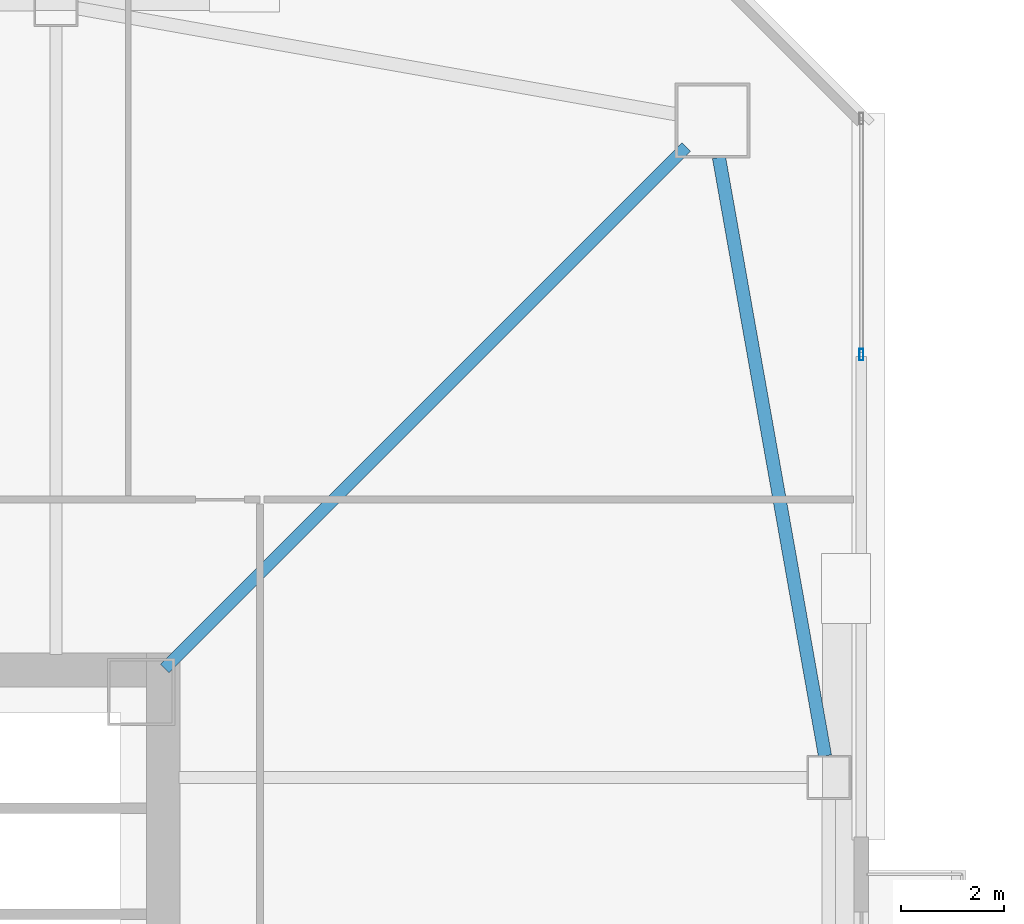
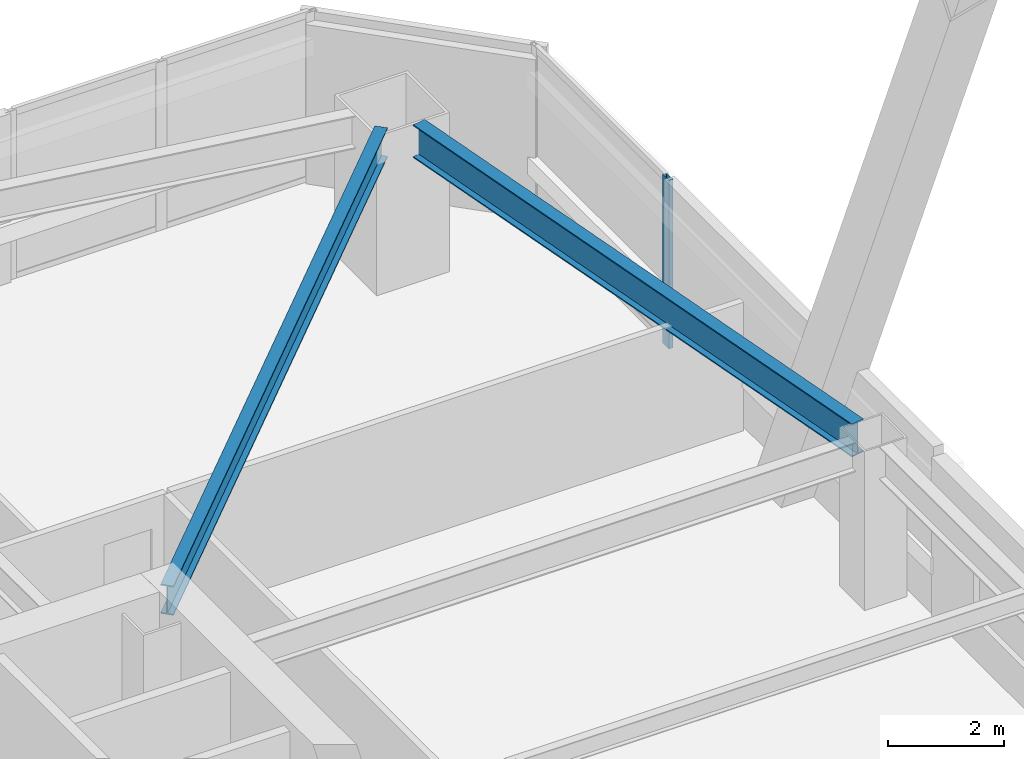
# One storey, part 21 of 54: 2 beams, 1 member, 1 element without a shape of its own.
"""IFC4 building model written with IfcOpenShell, lengths in metres."""

from ifc_helpers import new_model, si_unit, direction, frame, origin, origin_2d, place, context, subcontext, project, spatial, hollow_rectangle, i_section, extrude, material, material_profile, profile_set, type_object, element, aggregate, save


model = new_model("IFC4")

# Units and contexts
model_context = context("Model", 3, precision=1e-05, world=origin(), true_north=direction((0.0, 1.0)))
body_context = subcontext(model_context, "Body", "Model", "MODEL_VIEW")
ifc_project = project(units=[si_unit("LENGTHUNIT", "METRE"), si_unit("AREAUNIT", "SQUARE_METRE"), si_unit("VOLUMEUNIT", "CUBIC_METRE"), si_unit("PLANEANGLEUNIT", "RADIAN"), si_unit("MASSUNIT", "GRAM", prefix="KILO")], contexts=[model_context])

# Site, building, storey
site_placement = place(None, origin())
site = spatial("IfcSite", under=ifc_project, at=site_placement, CompositionType="ELEMENT")
building_placement = place(site_placement, origin())
building = spatial("IfcBuilding", under=site, at=building_placement, Name="Tashvorn Skyway Center", CompositionType="ELEMENT")
storey_placement = place(building_placement, frame((0.0, 0.0, 88.5)))
storey = spatial("IfcBuildingStorey", under=building, at=storey_placement, Name="L23", CompositionType="ELEMENT", Elevation=88.5)

# Beams
ifc_material_1 = material(Name="Steel ASTM A992 Grade 50", Category="steel")
ifc_material_profile_1 = material_profile(ifc_material_1, i_section(OverallWidth=0.22998046875, OverallDepth=0.616943359375, WebThickness=0.01318359375, FlangeThickness=0.022216796875, at=origin_2d()), Name="W24X94")
ifc_profile_set_1 = profile_set([ifc_material_profile_1], Name="Steel ASTM A992 Grade 50")
beam_type_1 = type_object("IfcBeamType", Name="BM-BEAM-W24X94", PredefinedType="BEAM", material=ifc_profile_set_1)
beam_1_placement = place(storey_placement, frame((59.5908203125, 49.5908203125, 3.04150390625), z_axis=(-0.707106781187, -0.707106781187, 0.0), x_axis=(0.707106781187, -0.707106781187, 0.0)))
element("IfcBeam", 1, at=beam_1_placement, inside=storey, type_object=beam_type_1, Name="Tower 1 L23 Primary Floor Girder MC-NE", PredefinedType="BEAM", context=body_context, shape_type="SweptSolid", body=[
    extrude(i_section(OverallWidth=0.22998046875, OverallDepth=0.616943359375, WebThickness=0.01318359375, FlangeThickness=0.022216796875, at=origin_2d()), origin(), (0.0, 0.0, 1.0), 14.261962890625),
])
ifc_material_profile_2 = material_profile(ifc_material_1, i_section(OverallWidth=0.256103515625, OverallDepth=0.693115234375, WebThickness=0.014404296875, FlangeThickness=0.023681640625, at=origin_2d()), Name="W27X114")
ifc_profile_set_2 = profile_set([ifc_material_profile_2], Name="Steel ASTM A992 Grade 50")
beam_type_2 = type_object("IfcBeamType", Name="BM-SPANDREL-W27X114", PredefinedType="SPANDREL", material=ifc_profile_set_2)
beam_2_placement = place(storey_placement, frame((62.276611328125, 37.8134765625, 3.00341796875), z_axis=(-0.174437966698, 0.98466816531, 0.0), x_axis=(-0.98466816531, -0.174437966698, 0.0)))
element("IfcBeam", 2, at=beam_2_placement, inside=storey, type_object=beam_type_2, Name="Tower 1 L23 Spandrel Beam 06", PredefinedType="SPANDREL", context=body_context, shape_type="SweptSolid", body=[
    extrude(i_section(OverallWidth=0.256103515625, OverallDepth=0.693115234375, WebThickness=0.014404296875, FlangeThickness=0.023681640625, at=origin_2d()), origin(), (0.0, 0.0, 1.0), 11.7578125),
])

# Curtain wall, member
ifc_material_2 = material(Name="Thermally broken bronze-anodized aluminium 6063-T6", Category="aluminium")
curtain_wall_type = type_object("IfcCurtainWallType", Name="CW-CW-Z2", PredefinedType="NOTDEFINED", material=ifc_material_2)
curtain_wall_placement = place(storey_placement, origin())
curtain_wall = element("IfcCurtainWall", 3, at=curtain_wall_placement, inside=storey, type_object=curtain_wall_type, Name="Tower 1 L23 East Curtain Wall L Glazing Group 1", PredefinedType="NOTDEFINED")
ifc_material_profile_3 = material_profile(ifc_material_2, hollow_rectangle(XDim=0.080078125, YDim=0.219970703125, WallThickness=0.0048828125, at=origin_2d()), Name="ALU-MULL-80x220")
ifc_profile_set_3 = profile_set([ifc_material_profile_3], Name="Thermally broken bronze-anodized aluminium 6063-T6")
member_type = type_object("IfcMemberType", Name="CWM-CW-Z2", PredefinedType="MULLION", material=ifc_profile_set_3)
member_placement = place(storey_placement, frame((62.97998046875, 45.57666015625, 0.0), z_axis=(0.0, 0.0, 1.0), x_axis=(1.0, 0.0, 0.0)))
member = element("IfcMember", 4, at=member_placement, type_object=member_type, Name="CW-Z2 mullion 2", PredefinedType="MULLION", context=body_context, shape_type="SweptSolid", body=[
    extrude(hollow_rectangle(XDim=0.080078125, YDim=0.219970703125, WallThickness=0.0048828125, at=origin_2d()), origin(), (0.0, 0.0, 1.0), 3.550048828125),
])
aggregate(curtain_wall, [member])

save(model, "model.ifc")
